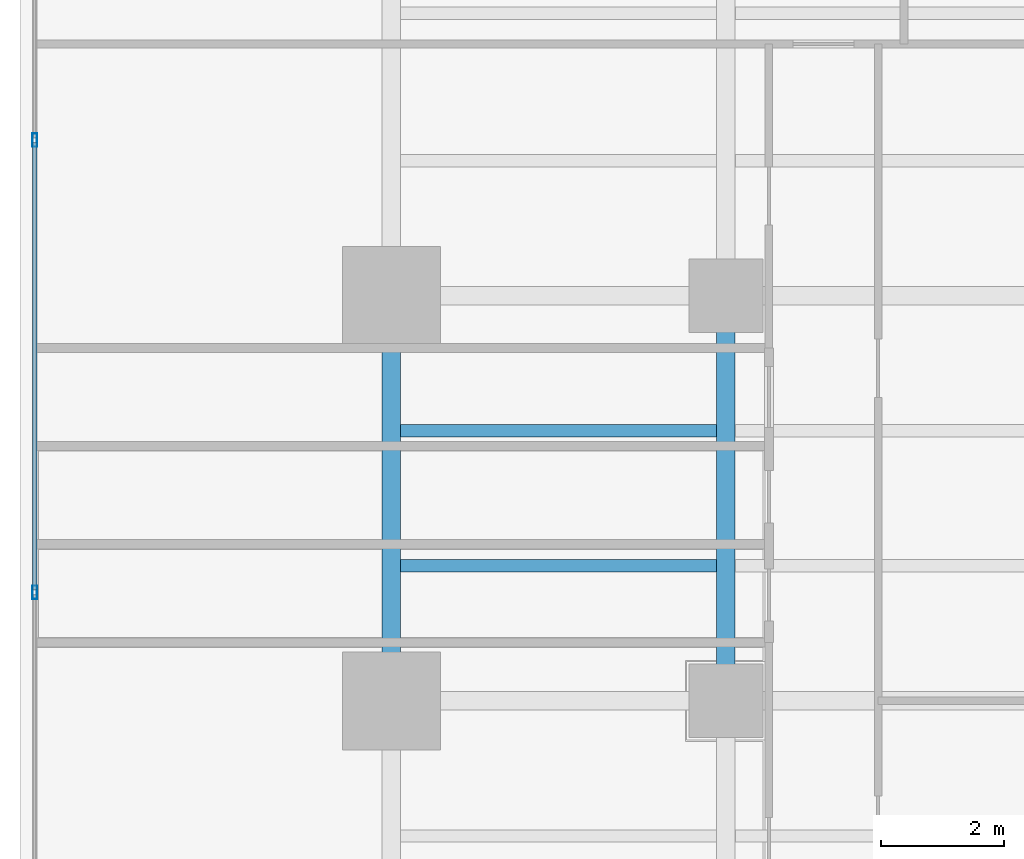
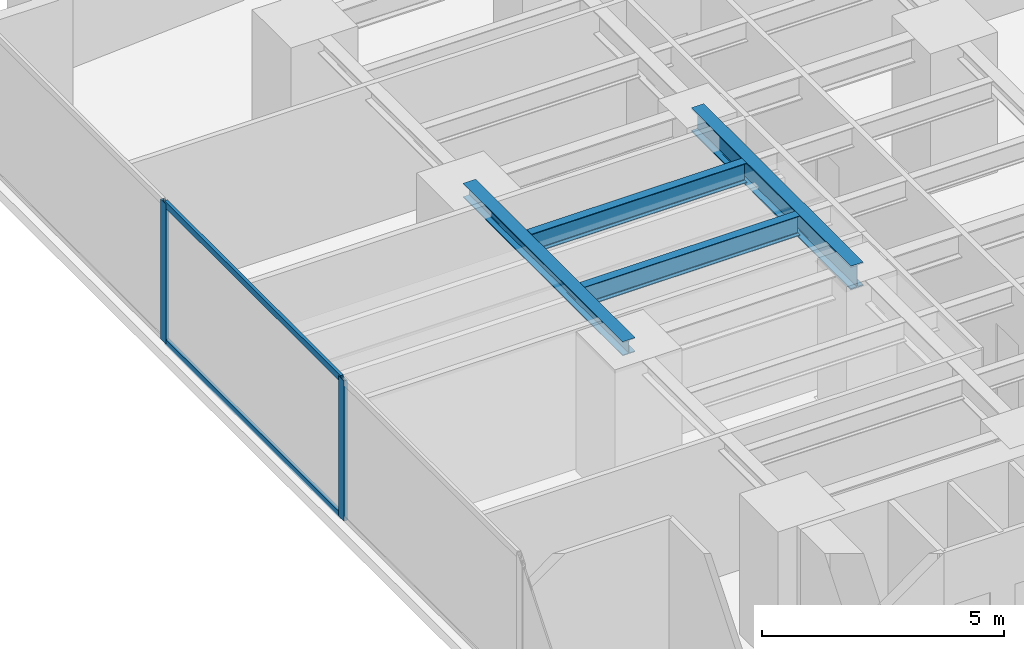
# One storey, part 15 of 26: 4 beams, 4 members, 1 element without a shape of its own.
"""IFC4 building model written with IfcOpenShell, lengths in metres."""

from ifc_helpers import new_model, si_unit, direction, frame, origin, origin_with_axes, origin_2d, place, context, subcontext, project, spatial, hollow_rectangle, i_section, extrude, source, transform, mapped, material, layer, layer_set, material_profile, profile_set, type_object, element, aggregate, save


model = new_model("IFC4")

# Units and contexts
model_context = context("Model", 3, precision=1e-05, world=origin(), true_north=direction((0.0, 1.0)))
body_context = subcontext(model_context, "Body", "Model", "MODEL_VIEW")
ifc_project = project(units=[si_unit("LENGTHUNIT", "METRE"), si_unit("AREAUNIT", "SQUARE_METRE"), si_unit("VOLUMEUNIT", "CUBIC_METRE"), si_unit("PLANEANGLEUNIT", "RADIAN"), si_unit("MASSUNIT", "GRAM", prefix="KILO")], contexts=[model_context])

# Site, building, storey
site_placement = place(None, origin())
site = spatial("IfcSite", under=ifc_project, at=site_placement, CompositionType="ELEMENT")
building_placement = place(site_placement, origin())
building = spatial("IfcBuilding", under=site, at=building_placement, Name="Kolvaren Waterfront Exchange", CompositionType="ELEMENT")
storey_placement = place(building_placement, frame((0.0, 0.0, 44.800048828125)))
storey = spatial("IfcBuildingStorey", under=building, at=storey_placement, Name="L11", CompositionType="ELEMENT", Elevation=44.800048828125)

# Beams
ifc_material_1 = material(Name="Steel S355", Category="steel")
ifc_material_profile_1 = material_profile(ifc_material_1, i_section(OverallWidth=0.300048828125, OverallDepth=0.360107421875, WebThickness=0.012451171875, FlangeThickness=0.0224609375, FilletRadius=0.027099609375, at=origin_2d()), Name="HEB360")
ifc_profile_set_1 = profile_set([ifc_material_profile_1], Name="Steel S355")
beam_type_1 = type_object("IfcBeamType", Name="STR-BM-HEB360", PredefinedType="SPANDREL", material=ifc_profile_set_1)
beam_1_placement = place(storey_placement, frame((7.449951171875, 31.199951171875, 3.35986328125), z_axis=(0.0, 1.0, 0.0), x_axis=(-1.0, 0.0, 0.0)))
element("IfcBeam", 1, at=beam_1_placement, inside=storey, type_object=beam_type_1, Name="L11 north-arm edge beam 2", PredefinedType="SPANDREL", context=body_context, shape_type="SweptSolid", body=[
    extrude(i_section(OverallWidth=0.300048828125, OverallDepth=0.360107421875, WebThickness=0.012451171875, FlangeThickness=0.0224609375, FilletRadius=0.027099609375, at=origin_2d()), origin(), (0.0, 0.0, 1.0), 6.60009765625),
])
ifc_material_profile_2 = material_profile(ifc_material_1, i_section(OverallWidth=0.300048828125, OverallDepth=0.60009765625, WebThickness=0.015380859375, FlangeThickness=0.030029296875, FilletRadius=0.027099609375, at=origin_2d()), Name="HEB600")
ifc_profile_set_2 = profile_set([ifc_material_profile_2], Name="Steel S355")
beam_type_2 = type_object("IfcBeamType", Name="STR-BM-HEB600", PredefinedType="BEAM", material=ifc_profile_set_2)
beam_2_placement = place(storey_placement, frame((12.89990234375, 31.199951171875, 3.239990234375), z_axis=(0.0, 1.0, 0.0), x_axis=(-1.0, 0.0, 0.0)))
element("IfcBeam", 2, at=beam_2_placement, inside=storey, type_object=beam_type_2, Name="L11 north-arm edge beam 2", PredefinedType="BEAM", context=body_context, shape_type="SweptSolid", body=[
    extrude(i_section(OverallWidth=0.300048828125, OverallDepth=0.60009765625, WebThickness=0.015380859375, FlangeThickness=0.030029296875, FilletRadius=0.027099609375, at=origin_2d()), origin(), (0.0, 0.0, 1.0), 6.60009765625),
])
ifc_material_profile_3 = material_profile(ifc_material_1, i_section(OverallWidth=0.199951171875, OverallDepth=0.5, WebThickness=0.01025390625, FlangeThickness=0.01611328125, FilletRadius=0.02099609375, at=origin_2d()), Name="IPE500")
ifc_profile_set_3 = profile_set([ifc_material_profile_3], Name="Steel S355")
beam_type_3 = type_object("IfcBeamType", Name="STR-BM-IPE500", PredefinedType="JOIST", material=ifc_profile_set_3)
for number, where, z_axis, x_axis, name in (
    (3, (7.60205078125, 33.39990234375, 3.2900390625), (1.0, 0.0, 0.0), (0.0, 1.0, 0.0), "L11 north-arm composite joist 3A"),
    (4, (7.60205078125, 35.60009765625, 3.2900390625), (1.0, 0.0, 0.0), (0.0, 1.0, 0.0), "L11 north-arm composite joist 4A"),
):
    element("IfcBeam", number, at=place(storey_placement, frame(where, z_axis=z_axis, x_axis=x_axis)), inside=storey, type_object=beam_type_3, Name=name, PredefinedType="JOIST", context=body_context, shape_type="SweptSolid", body=[
        extrude(i_section(OverallWidth=0.199951171875, OverallDepth=0.5, WebThickness=0.01025390625, FlangeThickness=0.01611328125, FilletRadius=0.02099609375, at=origin_2d()), origin(), (0.0, 0.0, 1.0), 5.14599609375),
    ])

# Curtain wall, members
ifc_material_2 = material(Name="Anodised aluminium 6063-T6", Category="aluminium")
ifc_layer = layer(ifc_material_2, 0.219970703125, Name="Anodised aluminium 6063-T6")
ifc_layer_set = layer_set([ifc_layer], Name="Anodised aluminium 6063-T6")
curtain_wall_type = type_object("IfcCurtainWallType", Name="ARC-CW-SYS2", PredefinedType="USERDEFINED", material=ifc_layer_set)
curtain_wall_placement = place(storey_placement, origin())
curtain_wall = element("IfcCurtainWall", 5, at=curtain_wall_placement, inside=storey, type_object=curtain_wall_type, Name="L11 stick curtain wall CW2 (CW-L11-W)", ObjectType="STICK CURTAIN WALL", PredefinedType="USERDEFINED")
ifc_material_profile_4 = material_profile(ifc_material_2, hollow_rectangle(XDim=0.074951171875, YDim=0.159912109375, WallThickness=0.00439453125, at=origin_2d()), Name="ALU-TRN-160x75x4.5")
ifc_profile_set_4 = profile_set([ifc_material_profile_4], Name="Anodised aluminium 6063-T6")
member_type_1 = type_object("IfcMemberType", Name="ARC-CWT-160", PredefinedType="USERDEFINED", material=ifc_profile_set_4)
shared_shape_1 = source(origin_with_axes(), body_context, "Body", "SweptSolid", [
    extrude(hollow_rectangle(XDim=0.074951171875, YDim=0.159912109375, WallThickness=0.00439453125, at=origin_2d()), origin(), (0.0, 0.0, 1.0), 7.28662109375),
])
member_1_placement = place(storey_placement, frame((1.639892578125, 33.006591796875, 0.037353515625), z_axis=(0.0, 1.0, 0.0), x_axis=(-1.0, 0.0, 0.0)))
member_1 = element("IfcMember", 6, at=member_1_placement, type_object=member_type_1, Name="CW2 transom 5.1", ObjectType="TRANSOM", PredefinedType="USERDEFINED", context=body_context, shape_type="MappedRepresentation", body=[
    mapped(shared_shape_1, transform((0.0, 0.0, 0.0), x_axis=(1.0, 0.0, 0.0), y_axis=(0.0, 1.0, 0.0), z_axis=(0.0, 0.0, 1.0), scale=1.0)),
])
member_2_placement = place(storey_placement, frame((1.639892578125, 33.006591796875, 3.50244140625), z_axis=(0.0, 1.0, 0.0), x_axis=(-1.0, 0.0, 0.0)))
member_2 = element("IfcMember", 7, at=member_2_placement, type_object=member_type_1, Name="CW2 transom 5.2", ObjectType="TRANSOM", PredefinedType="USERDEFINED", context=body_context, shape_type="MappedRepresentation", body=[
    mapped(shared_shape_1, transform((0.0, 0.0, 0.0), x_axis=(1.0, 0.0, 0.0), y_axis=(0.0, 1.0, 0.0), z_axis=(0.0, 0.0, 1.0), scale=1.0)),
])
ifc_material_profile_5 = material_profile(ifc_material_2, hollow_rectangle(XDim=0.080078125, YDim=0.219970703125, WallThickness=0.0048828125, at=origin_2d()), Name="ALU-MUL-220x80x5")
ifc_profile_set_5 = profile_set([ifc_material_profile_5], Name="Anodised aluminium 6063-T6")
member_type_2 = type_object("IfcMemberType", Name="ARC-CWM-220", PredefinedType="MULLION", material=ifc_profile_set_5)
shared_shape_2 = source(origin_with_axes(), body_context, "Body", "SweptSolid", [
    extrude(hollow_rectangle(XDim=0.080078125, YDim=0.219970703125, WallThickness=0.0048828125, at=origin_2d()), origin(), (0.0, 0.0, 1.0), 3.5400390625),
])
member_3_placement = place(storey_placement, frame((1.639892578125, 32.966552734375, 0.0), z_axis=(0.0, 0.0, 1.0), x_axis=(-1.0, 0.0, 0.0)))
member_3 = element("IfcMember", 8, at=member_3_placement, type_object=member_type_2, Name="CW2 mullion 5", PredefinedType="MULLION", context=body_context, shape_type="MappedRepresentation", body=[
    mapped(shared_shape_2, transform((0.0, 0.0, 0.0), x_axis=(1.0, 0.0, 0.0), y_axis=(0.0, 1.0, 0.0), z_axis=(0.0, 0.0, 1.0), scale=1.0)),
])
member_4_placement = place(storey_placement, frame((1.639892578125, 40.333251953125, 0.0), z_axis=(0.0, 0.0, 1.0), x_axis=(-1.0, 0.0, 0.0)))
member_4 = element("IfcMember", 9, at=member_4_placement, type_object=member_type_2, Name="CW2 mullion 6", PredefinedType="MULLION", context=body_context, shape_type="MappedRepresentation", body=[
    mapped(shared_shape_2, transform((0.0, 0.0, 0.0), x_axis=(1.0, 0.0, 0.0), y_axis=(0.0, 1.0, 0.0), z_axis=(0.0, 0.0, 1.0), scale=1.0)),
])
aggregate(curtain_wall, [member_3, member_4, member_1, member_2])

save(model, "model.ifc")
